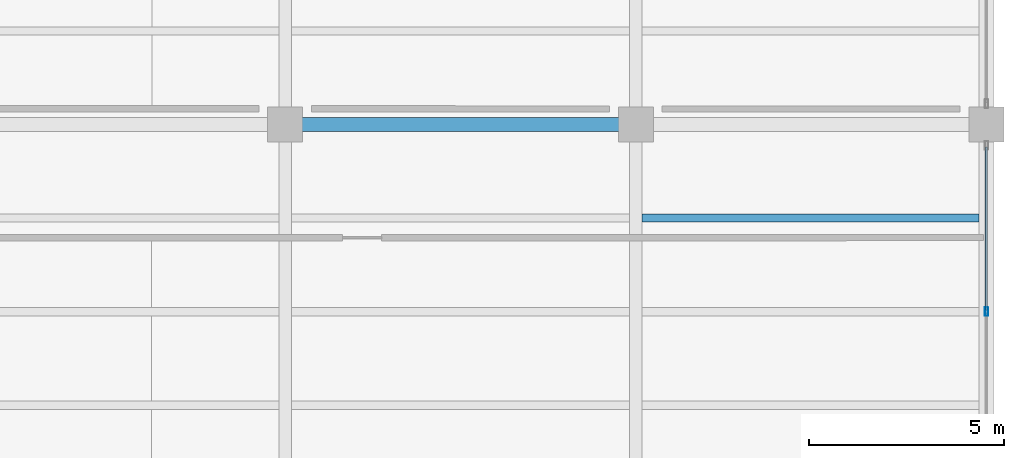
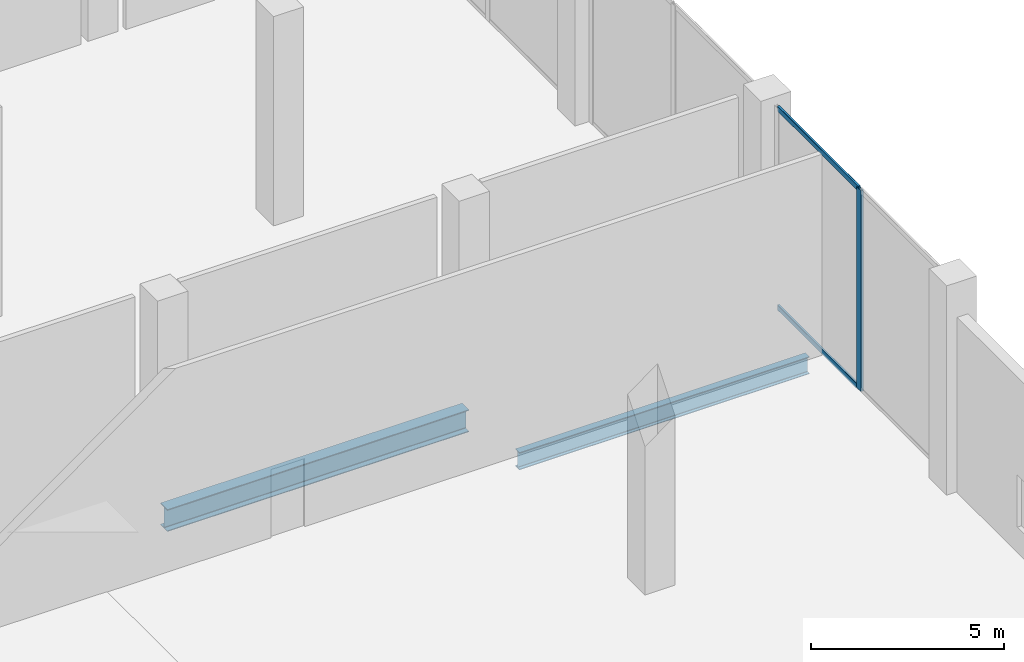
# One storey, part 14 of 45: 3 members, 2 beams, 1 element without a shape of its own.
"""IFC4 building model written with IfcOpenShell, lengths in metres."""

from ifc_helpers import new_model, si_unit, direction, frame, origin, origin_2d, place, context, subcontext, project, spatial, hollow_rectangle, i_section, extrude, material, layer, layer_set, material_profile, profile_set, type_object, element, aggregate, save


model = new_model("IFC4")

# Units and contexts
model_context = context("Model", 3, precision=1e-05, world=origin(), true_north=direction((0.0, 1.0)))
body_context = subcontext(model_context, "Body", "Model", "MODEL_VIEW")
ifc_project = project(units=[si_unit("LENGTHUNIT", "METRE"), si_unit("AREAUNIT", "SQUARE_METRE"), si_unit("VOLUMEUNIT", "CUBIC_METRE"), si_unit("PLANEANGLEUNIT", "RADIAN"), si_unit("MASSUNIT", "GRAM", prefix="KILO")], contexts=[model_context])

# Site, building, storey
site_placement = place(None, origin())
site = spatial("IfcSite", under=ifc_project, at=site_placement, CompositionType="ELEMENT")
building_placement = place(site_placement, origin())
building = spatial("IfcBuilding", under=site, at=building_placement, Name="Qorvath Tower", CompositionType="ELEMENT")
storey_placement = place(building_placement, origin())
storey = spatial("IfcBuildingStorey", under=building, at=storey_placement, Name="L00", CompositionType="ELEMENT", Elevation=0.0)

# Beams
ifc_material_1 = material(Name="Steel ASTM A992 Grade 50", Category="steel")
ifc_material_profile_1 = material_profile(ifc_material_1, i_section(OverallWidth=0.35595703125, OverallDepth=0.696044921875, WebThickness=0.015380859375, FlangeThickness=0.02490234375, FilletRadius=0.01806640625, at=origin_2d()), Name="W27x146")
ifc_profile_set_1 = profile_set([ifc_material_profile_1], Name="Steel ASTM A992 Grade 50")
beam_type_1 = type_object("IfcBeamType", Name="BM-FG4", PredefinedType="BEAM", material=ifc_profile_set_1)
beam_1_placement = place(storey_placement, frame((59.39990234375, -9.60009765625, -0.64794921875), z_axis=(1.0, 0.0, 0.0), x_axis=(0.0, 1.0, 0.0)))
element("IfcBeam", 1, at=beam_1_placement, inside=storey, type_object=beam_type_1, Name="Library E-W Girder L00-4-4", PredefinedType="BEAM", context=body_context, shape_type="SweptSolid", body=[
    extrude(i_section(OverallWidth=0.35595703125, OverallDepth=0.696044921875, WebThickness=0.015380859375, FlangeThickness=0.02490234375, FilletRadius=0.01806640625, at=origin_2d()), origin(), (0.0, 0.0, 1.0), 9.0),
])
ifc_material_2 = material(Name="Steel ASTM A992 Grade 50", Category="steel")
ifc_material_profile_2 = material_profile(ifc_material_2, i_section(OverallWidth=0.2119140625, OverallDepth=0.5439453125, WebThickness=0.01318359375, FlangeThickness=0.021240234375, FilletRadius=0.013916015625, at=origin_2d()), Name="W21x83")
ifc_profile_set_2 = profile_set([ifc_material_profile_2], Name="Steel ASTM A992 Grade 50")
beam_type_2 = type_object("IfcBeamType", Name="BM-FJ1", PredefinedType="JOIST", material=ifc_profile_set_2)
beam_2_placement = place(storey_placement, frame((68.560546875, -12.0, -0.572021484375), z_axis=(1.0, 0.0, 0.0), x_axis=(0.0, 1.0, 0.0)))
element("IfcBeam", 2, at=beam_2_placement, inside=storey, type_object=beam_type_2, Name="Library Stack Joist L00-3.3-5", PredefinedType="JOIST", context=body_context, shape_type="SweptSolid", body=[
    extrude(i_section(OverallWidth=0.2119140625, OverallDepth=0.5439453125, WebThickness=0.01318359375, FlangeThickness=0.021240234375, FilletRadius=0.013916015625, at=origin_2d()), origin(), (0.0, 0.0, 1.0), 8.65087890625),
])

# Curtain wall, members
ifc_material_3 = material(Name="Anodised aluminium and triple low-E glass", Category="aluminium")
ifc_layer = layer(ifc_material_3, 0.179931640625)
ifc_layer_set = layer_set([ifc_layer], Name="CW-SYS-6")
curtain_wall_type = type_object("IfcCurtainWallType", Name="CW-SYS-6", PredefinedType="NOTDEFINED", material=ifc_layer_set)
curtain_wall_placement = place(storey_placement, origin())
curtain_wall = element("IfcCurtainWall", 3, at=curtain_wall_placement, inside=storey, type_object=curtain_wall_type, Name="Curtain Wall CW-6 CW-LIB-E-L00-3", PredefinedType="NOTDEFINED")
ifc_material_4 = material(Name="Anodised aluminium 6063-T6", Category="aluminium")
ifc_material_profile_3 = material_profile(ifc_material_4, hollow_rectangle(XDim=0.080078125, YDim=0.219970703125, WallThickness=0.00439453125, InnerFilletRadius=0.00439453125, OuterFilletRadius=0.009033203125, at=origin_2d()), Name="CWM LIB 220x80")
ifc_profile_set_3 = profile_set([ifc_material_profile_3], Name="Anodised aluminium 6063-T6")
member_type_1 = type_object("IfcMemberType", Name="CWM-LIB", PredefinedType="MULLION", material=ifc_profile_set_3)
member_1_placement = place(storey_placement, frame((77.39990234375, -14.400146484375, 0.0), z_axis=(0.0, 0.0, 1.0), x_axis=(-1.0, 0.0, 0.0)))
member_1 = element("IfcMember", 4, at=member_1_placement, type_object=member_type_1, Name="CW-6 mullion 2", PredefinedType="MULLION", context=body_context, shape_type="SweptSolid", body=[
    extrude(hollow_rectangle(XDim=0.080078125, YDim=0.219970703125, WallThickness=0.00439453125, InnerFilletRadius=0.00439453125, OuterFilletRadius=0.009033203125, at=origin_2d()), origin(), (0.0, 0.0, 1.0), 6.340087890625),
])
ifc_material_5 = material(Name="Anodised aluminium 6063-T6", Category="aluminium")
ifc_material_profile_4 = material_profile(ifc_material_5, hollow_rectangle(XDim=0.06494140625, YDim=0.159912109375, WallThickness=0.00341796875, InnerFilletRadius=0.00341796875, OuterFilletRadius=0.007080078125, at=origin_2d()), Name="CWT 160x65")
ifc_profile_set_4 = profile_set([ifc_material_profile_4], Name="Anodised aluminium 6063-T6")
member_type_2 = type_object("IfcMemberType", Name="CWT-160", PredefinedType="USERDEFINED", material=ifc_profile_set_4)
member_2_placement = place(storey_placement, frame((77.39990234375, -14.360107421875, 0.032470703125), z_axis=(0.0, 1.0, 0.0), x_axis=(-1.0, 0.0, 0.0)))
member_2 = element("IfcMember", 5, at=member_2_placement, type_object=member_type_2, Name="CW-6 transom 2.1", ObjectType="TRANSOM", PredefinedType="USERDEFINED", context=body_context, shape_type="SweptSolid", body=[
    extrude(hollow_rectangle(XDim=0.06494140625, YDim=0.159912109375, WallThickness=0.00341796875, InnerFilletRadius=0.00341796875, OuterFilletRadius=0.007080078125, at=origin_2d()), origin(), (0.0, 0.0, 1.0), 4.18505859375),
])
member_3_placement = place(storey_placement, frame((77.39990234375, -14.360107421875, 6.3076171875), z_axis=(0.0, 1.0, 0.0), x_axis=(-1.0, 0.0, 0.0)))
member_3 = element("IfcMember", 6, at=member_3_placement, type_object=member_type_2, Name="CW-6 transom 2.2", ObjectType="TRANSOM", PredefinedType="USERDEFINED", context=body_context, shape_type="SweptSolid", body=[
    extrude(hollow_rectangle(XDim=0.06494140625, YDim=0.159912109375, WallThickness=0.00341796875, InnerFilletRadius=0.00341796875, OuterFilletRadius=0.007080078125, at=origin_2d()), origin(), (0.0, 0.0, 1.0), 4.18505859375),
])
aggregate(curtain_wall, [member_1, member_2, member_3])

save(model, "model.ifc")
